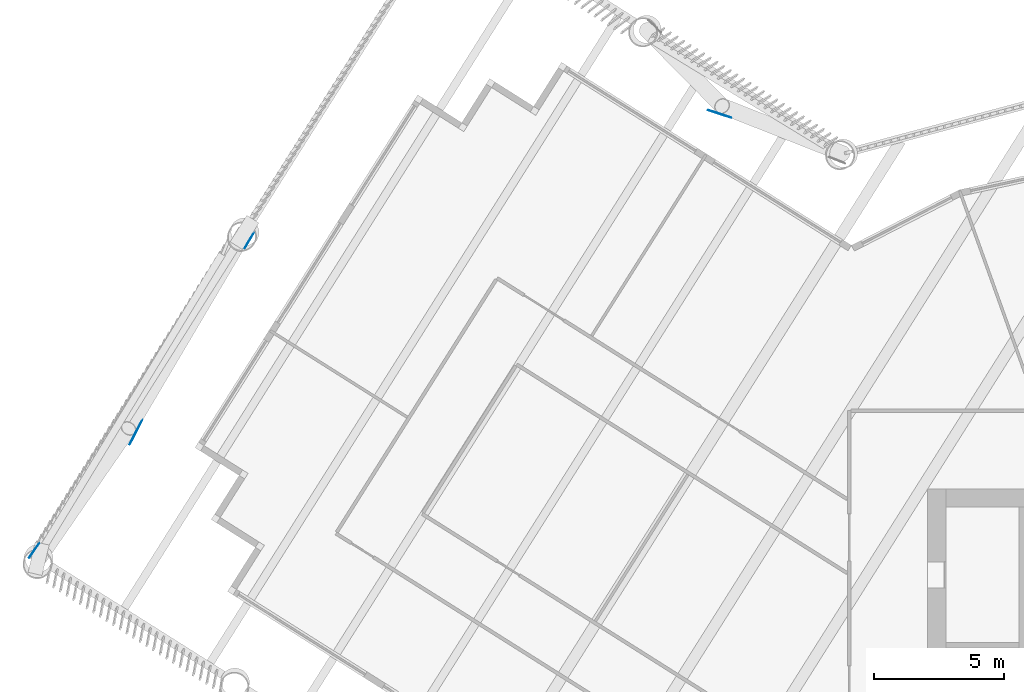
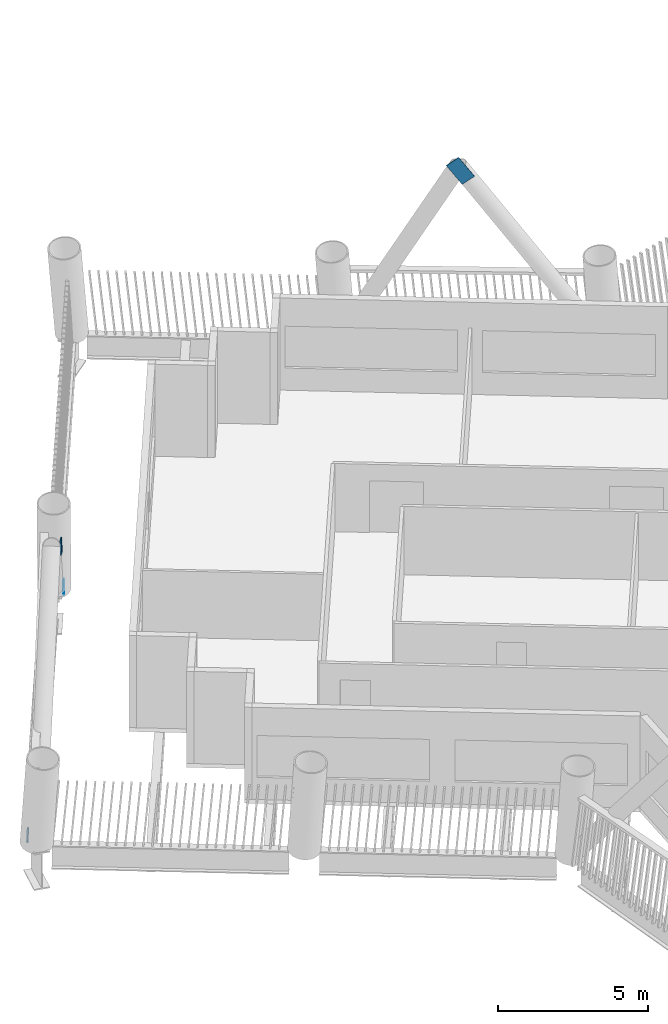
# One storey, part 10 of 22: 4 discrete accessories.
"""IFC4 building model written with IfcOpenShell, lengths in metres."""

import ifcopenshell
import ifcopenshell.guid

model = None  # the IFC model being written
_history = None  # IfcOwnerHistory: only IFC2X3 demands one
_inside = {}  # id of a spatial element -> (the spatial element, [elements in it])
_under = {}  # id of a project, library or spatial element -> (it, [spatial elements below it])
_declared = {}  # id of a project -> (the project, [libraries it declares])
_typed = {}  # id of a type object -> (the type object, [elements of that type])
_made_of = {}  # id of a material, layer set ... -> (it, [elements and type objects made of it])


def new_model(schema):
    """Start an empty IFC model of exactly this schema.

    Asked for "IFC4X3", IfcOpenShell would pick the latest addendum, in which some entities
    have other attributes; the version numbers below select the first issue.
    IFC2X3 requires an IfcOwnerHistory on every rooted entity: one is made here for all.
    """
    global model, _history
    if schema == "IFC4X3":
        model = ifcopenshell.file(schema_version=(4, 3, 0, 0))
    else:
        model = ifcopenshell.file(schema=schema)
    _inside.clear()
    _under.clear()
    _declared.clear()
    _typed.clear()
    _made_of.clear()
    _history = None
    if model.schema == "IFC2X3":
        org = make("IfcOrganization", Name="unknown")
        user = make(
            "IfcPersonAndOrganization",
            ThePerson=make("IfcPerson", FamilyName="unknown"),
            TheOrganization=org,
        )
        app = make(
            "IfcApplication",
            ApplicationDeveloper=org,
            Version="unknown",
            ApplicationFullName="unknown",
            ApplicationIdentifier="unknown",
        )
        _history = make(
            "IfcOwnerHistory",
            OwningUser=user,
            OwningApplication=app,
            ChangeAction="ADDED",
            CreationDate=0,
        )
    return model


def make(cls, **values):
    """One entity of the class cls with the attributes given. An attribute that is None is left unset."""
    return model.create_entity(
        cls, **{name: value for name, value in values.items() if value is not None}
    )


def rooted(cls, **values):
    """An entity with a GlobalId (a new one), such as an element, a storey or a relation."""
    return make(cls, GlobalId=ifcopenshell.guid.new(), OwnerHistory=_history, **values)


def si_unit(unit_type, name, prefix=None):
    """IfcSIUnit, for example si_unit("LENGTHUNIT", "METRE", prefix="MILLI")."""
    return make("IfcSIUnit", UnitType=unit_type, Prefix=prefix, Name=name)


def assignment(units):
    """IfcUnitAssignment: the units of a project."""
    return None if units is None else make("IfcUnitAssignment", Units=units)


def point(xyz):
    """IfcCartesianPoint."""
    return None if xyz is None else make("IfcCartesianPoint", Coordinates=xyz)


def direction(xyz):
    """IfcDirection."""
    return None if xyz is None else make("IfcDirection", DirectionRatios=xyz)


def frame(location, z_axis=None, x_axis=None):
    """IfcAxis2Placement3D, a coordinate frame: its origin and axes. An axis left out is left unset."""
    return make(
        "IfcAxis2Placement3D",
        Location=point(location),
        Axis=direction(z_axis),
        RefDirection=direction(x_axis),
    )


def frame_2d(location, x_axis=None):
    """IfcAxis2Placement2D, a coordinate frame in the plane: its origin and x axis."""
    return make(
        "IfcAxis2Placement2D", Location=point(location), RefDirection=direction(x_axis)
    )


def origin():
    """The frame at (0, 0, 0) with its axes left unset."""
    return frame((0.0, 0.0, 0.0))


def origin_2d():
    """The frame at (0, 0) in the plane with its x axis left unset."""
    return frame_2d((0.0, 0.0))


def place(relative_to, where):
    """IfcLocalPlacement: puts the frame where relative to a parent placement (None: the world)."""
    return make(
        "IfcLocalPlacement", PlacementRelTo=relative_to, RelativePlacement=where
    )


def context(
    kind, dimensions, precision=None, world=None, true_north=None, identifier=None
):
    """IfcGeometricRepresentationContext, for example the 3D "Model" context."""
    return make(
        "IfcGeometricRepresentationContext",
        ContextIdentifier=identifier,
        ContextType=kind,
        CoordinateSpaceDimension=dimensions,
        Precision=precision,
        WorldCoordinateSystem=world,
        TrueNorth=true_north,
    )


def subcontext(parent, identifier, kind, view, scale=None):
    """IfcGeometricRepresentationSubContext, for example "Body" below "Model"."""
    return make(
        "IfcGeometricRepresentationSubContext",
        ContextIdentifier=identifier,
        ContextType=kind,
        ParentContext=parent,
        TargetScale=scale,
        TargetView=view,
    )


def project(units=None, contexts=None):
    """IfcProject with its units and contexts."""
    return rooted(
        "IfcProject",
        Name="project",
        RepresentationContexts=contexts,
        UnitsInContext=assignment(units),
    )


def spatial(cls, under=None, at=None, **own):
    """A site, building, storey or space (cls), placed at a placement, below another one or the project."""
    s = rooted(cls, ObjectPlacement=at, **own)
    if under is not None:
        _under.setdefault(under.id(), (under, []))[1].append(s)
    return s


def profile(cls, at=None, kind="AREA", **sizes):
    """A parametric profile (cls). Its sizes go by their IFC names, for example OverallWidth=200.0."""
    return make(cls, ProfileType=kind, Position=at, **sizes)


def rectangle(**sizes):
    """IfcRectangleProfileDef."""
    return profile("IfcRectangleProfileDef", **sizes)


def extrude(swept, where, along, depth):
    """IfcExtrudedAreaSolid: the profile swept, set in the frame where, extruded along a direction by depth."""
    return make(
        "IfcExtrudedAreaSolid",
        SweptArea=swept,
        Position=where,
        ExtrudedDirection=direction(along),
        Depth=depth,
    )


def shape(context_of_items, identifier, shape_type, items):
    """IfcShapeRepresentation: the items that make up one representation, for example the "Body"."""
    return make(
        "IfcShapeRepresentation",
        ContextOfItems=context_of_items,
        RepresentationIdentifier=identifier,
        RepresentationType=shape_type,
        Items=items,
    )


def material(Name=None, Category=None):
    """IfcMaterial."""
    return make("IfcMaterial", Name=Name, Category=Category)


def material_profile(
    of_material, cross_section, Name=None, Category=None, Priority=None
):
    """IfcMaterialProfile: a cross section and its material."""
    return make(
        "IfcMaterialProfile",
        Name=Name,
        Material=of_material,
        Profile=cross_section,
        Priority=Priority,
        Category=Category,
    )


def profile_set(profiles, Name=None, composite=None):
    """IfcMaterialProfileSet."""
    return make(
        "IfcMaterialProfileSet",
        Name=Name,
        MaterialProfiles=profiles,
        CompositeProfile=composite,
    )


def made_of(thing, what):
    """Note that an element or type object is made of a material, layer set ...; save() writes the relation."""
    if what is not None:
        _made_of.setdefault(what.id(), (what, []))[1].append(thing)
    return thing


def type_object(cls, material=None, **own):
    """A type object (cls), such as IfcWallType, which elements share."""
    return made_of(rooted(cls, **own), material)


def element(
    cls,
    number,
    at=None,
    inside=None,
    cuts=None,
    type_object=None,
    material=None,
    context=None,
    identifier="Body",
    shape_type=None,
    held_by="IfcProductDefinitionShape",
    body=None,
    shapes=None,
    **own,
):
    """One element of the class cls, such as IfcWall. Its Tag is "e" and its number.

    at: its placement. inside: the storey or other place that contains it. cuts: it is an
    opening in that element (IfcRelVoidsElement). A single representation is given by context,
    identifier, shape_type and body (its items); several are given by shapes. held_by: the class
    of the entity that holds the representations. save() writes the other relations.
    """
    e = rooted(cls, Tag="e%d" % number, ObjectPlacement=at, **own)
    if body is not None:
        shapes = [shape(context, identifier, shape_type, body)]
    if shapes is not None:
        e.Representation = make(held_by, Representations=shapes)
    if inside is not None:
        _inside.setdefault(inside.id(), (inside, []))[1].append(e)
    if cuts is not None:
        rooted(
            "IfcRelVoidsElement", RelatingBuildingElement=cuts, RelatedOpeningElement=e
        )
    if type_object is not None:
        _typed.setdefault(type_object.id(), (type_object, []))[1].append(e)
    return made_of(e, material)


def aggregate(whole, parts):
    """IfcRelAggregates: a whole, such as a stair, and the parts it consists of."""
    return rooted("IfcRelAggregates", RelatingObject=whole, RelatedObjects=parts)


def save(model, path):
    """Write the relations noted so far, then the file.

    IfcRelAggregates (storeys below a building ...), IfcRelContainedInSpatialStructure (elements
    in a storey), IfcRelDefinesByType, IfcRelAssociatesMaterial and IfcRelDeclares: one each for
    every whole, place, type object, material and project.
    """
    for whole, parts in _under.values():
        aggregate(whole, parts)
    for where, things in _inside.values():
        rooted(
            "IfcRelContainedInSpatialStructure",
            RelatedElements=things,
            RelatingStructure=where,
        )
    for kind, things in _typed.values():
        rooted("IfcRelDefinesByType", RelatedObjects=things, RelatingType=kind)
    for what, things in _made_of.values():
        rooted("IfcRelAssociatesMaterial", RelatedObjects=things, RelatingMaterial=what)
    for by, libraries in _declared.values():
        rooted("IfcRelDeclares", RelatingContext=by, RelatedDefinitions=libraries)
    model.write(path)


model = new_model("IFC4")

# Units and contexts
model_context = context("Model", 3, precision=1e-05, world=origin(), true_north=direction((0.0, 1.0)))
body_context = subcontext(model_context, "Body", "Model", "MODEL_VIEW")
ifc_project = project(units=[si_unit("LENGTHUNIT", "METRE"), si_unit("AREAUNIT", "SQUARE_METRE"), si_unit("VOLUMEUNIT", "CUBIC_METRE"), si_unit("PLANEANGLEUNIT", "RADIAN"), si_unit("MASSUNIT", "GRAM", prefix="KILO")], contexts=[model_context])

# Site, building, storey
site_placement = place(None, origin())
site = spatial("IfcSite", under=ifc_project, at=site_placement, CompositionType="ELEMENT")
building_placement = place(site_placement, origin())
building = spatial("IfcBuilding", under=site, at=building_placement, Name="Tarsis Ring Headquarters", CompositionType="ELEMENT")
storey_placement = place(building_placement, frame((0.0, 0.0, 147.60009765625)))
storey = spatial("IfcBuildingStorey", under=building, at=storey_placement, Name="L33", CompositionType="ELEMENT", Elevation=147.60009765625)

# Discrete accessories
ifc_material = material(Name="Structural steel S355", Category="steel")
ifc_material_profile = material_profile(ifc_material, rectangle(XDim=0.02490234375, YDim=0.5, at=origin_2d()), Name="PL 25x500")
ifc_profile_set = profile_set([ifc_material_profile], Name="Structural steel S355")
discrete_accessory_type = type_object("IfcDiscreteAccessoryType", Name="Gusset plate Exo brace 25", PredefinedType="BRACKET", material=ifc_profile_set)
discrete_accessory_1_placement = place(storey_placement, frame((-17.721435546875, 27.29931640625, 7.37939453125), z_axis=(-0.514148419106, 0.168209050695, 0.841045253476), x_axis=(-0.310942708743, -0.950428656912, 0.0)))
element("IfcDiscreteAccessory", 1, at=discrete_accessory_1_placement, inside=storey, type_object=discrete_accessory_type, Name="Gusset plate GP5", PredefinedType="BRACKET", context=body_context, shape_type="SweptSolid", body=[
    extrude(rectangle(XDim=0.02490234375, YDim=0.5, at=origin_2d()), origin(), (0.0, 0.0, 1.0), 1.0),
])
discrete_accessory_2_placement = place(storey_placement, frame((-35.920166015625, 22.68359375, 0.0), z_axis=(-0.379437504535, -0.642650908582, 0.665602726746), x_axis=(0.861108845821, -0.50842064833, 0.0)))
element("IfcDiscreteAccessory", 2, at=discrete_accessory_2_placement, inside=storey, type_object=discrete_accessory_type, Name="Gusset plate GP5", PredefinedType="BRACKET", context=body_context, shape_type="SweptSolid", body=[
    extrude(rectangle(XDim=0.02490234375, YDim=0.5, at=origin_2d()), origin(), (0.0, 0.0, 1.0), 0.5),
])
discrete_accessory_3_placement = place(storey_placement, frame((-40.191162109375, 15.504638671875, 7.46728515625), z_axis=(-0.342053921474, -0.66359925665, 0.665308305508), x_axis=(0.888865600623, -0.458168030343, 0.0)))
element("IfcDiscreteAccessory", 3, at=discrete_accessory_3_placement, inside=storey, type_object=discrete_accessory_type, Name="Gusset plate GP5", PredefinedType="BRACKET", context=body_context, shape_type="SweptSolid", body=[
    extrude(rectangle(XDim=0.02490234375, YDim=0.5, at=origin_2d()), origin(), (0.0, 0.0, 1.0), 1.0),
])
discrete_accessory_4_placement = place(storey_placement, frame((-44.353759765625, 10.510009765625, 0.0), z_axis=(0.348794844201, 0.505117463451, 0.789429227211), x_axis=(-0.822879181341, 0.568216378605, 0.0)))
element("IfcDiscreteAccessory", 4, at=discrete_accessory_4_placement, inside=storey, type_object=discrete_accessory_type, Name="Gusset plate GP5", PredefinedType="BRACKET", context=body_context, shape_type="SweptSolid", body=[
    extrude(rectangle(XDim=0.02490234375, YDim=0.5, at=origin_2d()), origin(), (0.0, 0.0, 1.0), 0.499755859375),
])

save(model, "model.ifc")
